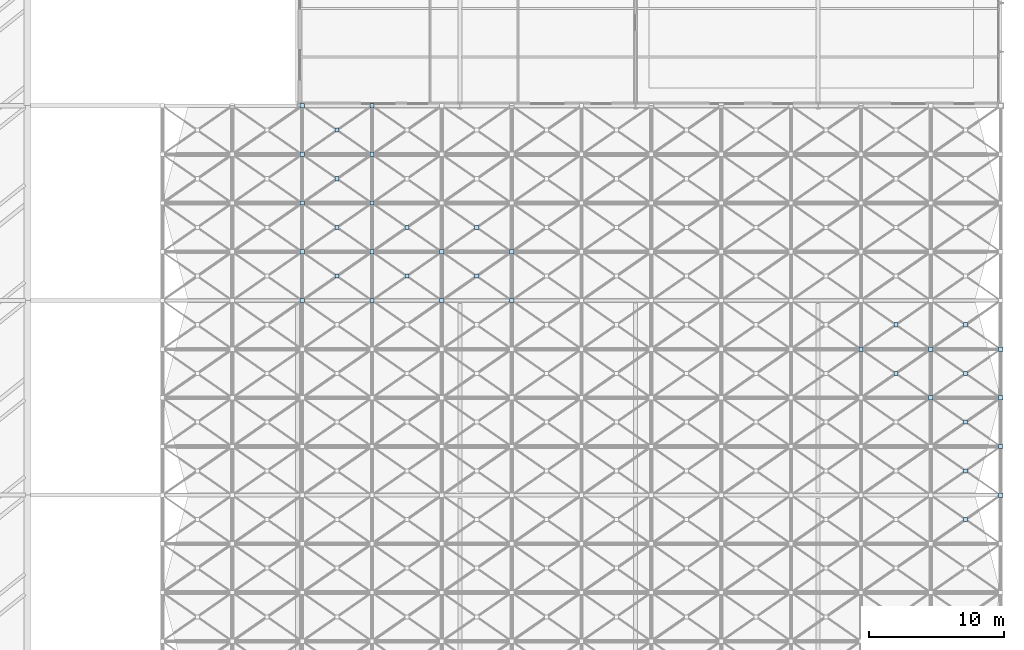
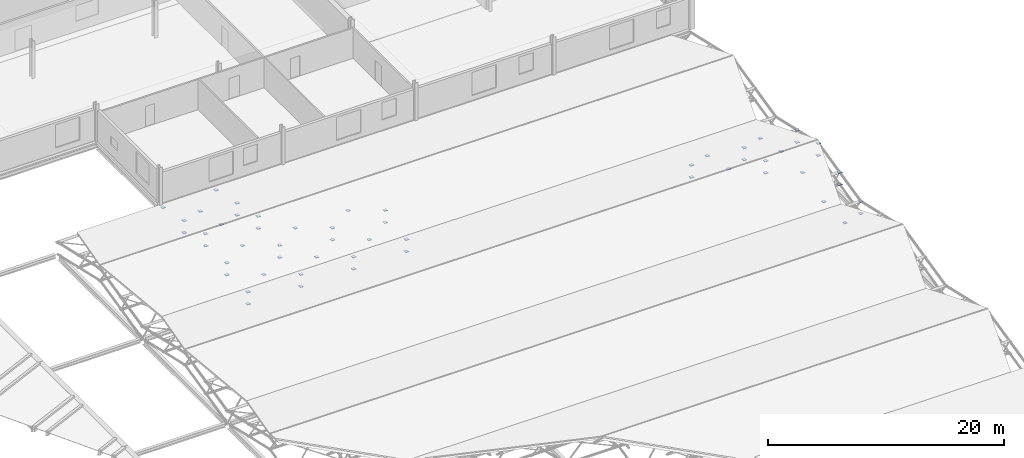
# One storey, part 97 of 110: 55 plates.
"""IFC4 building model written with IfcOpenShell, lengths in metres."""

from ifc_helpers import new_model, si_unit, direction, frame, origin, origin_2d, place, context, subcontext, project, spatial, rectangle, extrude, material, layer, layer_set, type_object, element, save


model = new_model("IFC4")

# Units and contexts
model_context = context("Model", 3, precision=1e-05, world=origin(), true_north=direction((0.0, 1.0)))
body_context = subcontext(model_context, "Body", "Model", "MODEL_VIEW")
ifc_project = project(units=[si_unit("LENGTHUNIT", "METRE"), si_unit("AREAUNIT", "SQUARE_METRE"), si_unit("VOLUMEUNIT", "CUBIC_METRE"), si_unit("PLANEANGLEUNIT", "RADIAN"), si_unit("MASSUNIT", "GRAM", prefix="KILO")], contexts=[model_context])

# Site, building, storey
site_placement = place(None, origin())
site = spatial("IfcSite", under=ifc_project, at=site_placement, CompositionType="ELEMENT")
building_placement = place(site_placement, origin())
building = spatial("IfcBuilding", under=site, at=building_placement, Name="Tamarisk Ironworks Central Station", CompositionType="ELEMENT")
storey_placement = place(building_placement, frame((0.0, 0.0, 17.39990234375)))
storey = spatial("IfcBuildingStorey", under=building, at=storey_placement, Name="L03", CompositionType="ELEMENT", Elevation=17.39990234375)

# Plates
ifc_material = material(Name="Structural steel S355J2H", Category="steel")
ifc_layer = layer(ifc_material, 0.02587890625)
ifc_layer_set = layer_set([ifc_layer], Name="Structural steel S355J2H")
plate_type = type_object("IfcPlateType", Name="PL-ND26", PredefinedType="SHEET", material=ifc_layer_set)
plate_1_placement = place(storey_placement, frame((177.416748046875, 48.60009765625, -0.6953125), z_axis=(0.0, 0.0, 1.0), x_axis=(1.0, 0.0, 0.0)))
element("IfcPlate", 1, at=plate_1_placement, inside=storey, type_object=plate_type, Name="Space-frame X-brace crossing gusset plate 0804", PredefinedType="SHEET", context=body_context, shape_type="SweptSolid", body=[
    extrude(rectangle(XDim=0.300048828125, YDim=0.300048828125, at=origin_2d()), origin(), (0.0, 0.0, 1.0), 0.02587890625),
])
for number, where, z_axis, x_axis, name in (
    (2, (180.0, 50.39990234375, -0.48291015625), (0.0, 0.0, 1.0), (1.0, 0.0, 0.0), "Space-frame collector node plate 0806"),
    (3, (128.333251953125, 64.800048828125, -0.48291015625), (0.0, 0.0, 1.0), (1.0, 0.0, 0.0), "Space-frame collector node plate 0838"),
    (4, (133.5, 64.800048828125, -0.48291015625), (0.0, 0.0, 1.0), (1.0, 0.0, 0.0), "Space-frame collector node plate 0850"),
    (5, (138.666748046875, 64.800048828125, -0.48291015625), (0.0, 0.0, 1.0), (1.0, 0.0, 0.0), "Space-frame collector node plate 0862"),
    (6, (143.833251953125, 64.800048828125, -0.48291015625), (0.0, 0.0, 1.0), (1.0, 0.0, 0.0), "Space-frame collector node plate 0874"),
    (7, (169.666748046875, 61.199951171875, 0.342041015625), (0.0, 0.0, 1.0), (1.0, 0.0, 0.0), "Space-frame collector node plate 0931"),
    (8, (169.666748046875, 61.199951171875, -0.907958984375), (0.0, 0.0, 1.0), (1.0, 0.0, 0.0), "Space-frame collector node plate 0933"),
    (9, (174.833251953125, 57.60009765625, 1.167236328125), (0.0, 0.0, 1.0), (1.0, 0.0, 0.0), "Space-frame collector node plate 0940"),
):
    element("IfcPlate", number, at=place(storey_placement, frame(where, z_axis=z_axis, x_axis=x_axis)), inside=storey, type_object=plate_type, Name=name, PredefinedType="SHEET", context=body_context, shape_type="SweptSolid", body=[
        extrude(rectangle(XDim=0.320068359375, YDim=0.320068359375, at=origin_2d()), origin(), (0.0, 0.0, 1.0), 0.02587890625),
    ])
plate_2_placement = place(storey_placement, frame((172.25, 59.39990234375, 0.129638671875), z_axis=(0.0, 0.0, 1.0), x_axis=(1.0, 0.0, 0.0)))
element("IfcPlate", 10, at=plate_2_placement, inside=storey, type_object=plate_type, Name="Space-frame X-brace crossing gusset plate 0941", PredefinedType="SHEET", context=body_context, shape_type="SweptSolid", body=[
    extrude(rectangle(XDim=0.300048828125, YDim=0.300048828125, at=origin_2d()), origin(), (0.0, 0.0, 1.0), 0.02587890625),
])
for number, where, z_axis, x_axis, name in (
    (11, (174.833251953125, 57.60009765625, -0.082763671875), (0.0, 0.0, 1.0), (1.0, 0.0, 0.0), "Space-frame collector node plate 0942"),
    (12, (174.833251953125, 61.199951171875, 0.342041015625), (0.0, 0.0, 1.0), (1.0, 0.0, 0.0), "Space-frame collector node plate 0943"),
):
    element("IfcPlate", number, at=place(storey_placement, frame(where, z_axis=z_axis, x_axis=x_axis)), inside=storey, type_object=plate_type, Name=name, PredefinedType="SHEET", context=body_context, shape_type="SweptSolid", body=[
        extrude(rectangle(XDim=0.320068359375, YDim=0.320068359375, at=origin_2d()), origin(), (0.0, 0.0, 1.0), 0.02587890625),
    ])
plate_3_placement = place(storey_placement, frame((172.25, 63.0, -0.6953125), z_axis=(0.0, 0.0, 1.0), x_axis=(1.0, 0.0, 0.0)))
element("IfcPlate", 13, at=plate_3_placement, inside=storey, type_object=plate_type, Name="Space-frame X-brace crossing gusset plate 0944", PredefinedType="SHEET", context=body_context, shape_type="SweptSolid", body=[
    extrude(rectangle(XDim=0.300048828125, YDim=0.300048828125, at=origin_2d()), origin(), (0.0, 0.0, 1.0), 0.02587890625),
])
plate_4_placement = place(storey_placement, frame((174.833251953125, 61.199951171875, -0.907958984375), z_axis=(0.0, 0.0, 1.0), x_axis=(1.0, 0.0, 0.0)))
element("IfcPlate", 14, at=plate_4_placement, inside=storey, type_object=plate_type, Name="Space-frame collector node plate 0945", PredefinedType="SHEET", context=body_context, shape_type="SweptSolid", body=[
    extrude(rectangle(XDim=0.320068359375, YDim=0.320068359375, at=origin_2d()), origin(), (0.0, 0.0, 1.0), 0.02587890625),
])
plate_5_placement = place(storey_placement, frame((177.416748046875, 52.199951171875, -0.6953125), z_axis=(0.0, 0.0, 1.0), x_axis=(1.0, 0.0, 0.0)))
element("IfcPlate", 15, at=plate_5_placement, inside=storey, type_object=plate_type, Name="Space-frame X-brace crossing gusset plate 0947", PredefinedType="SHEET", context=body_context, shape_type="SweptSolid", body=[
    extrude(rectangle(XDim=0.300048828125, YDim=0.300048828125, at=origin_2d()), origin(), (0.0, 0.0, 1.0), 0.02587890625),
])
for number, where, z_axis, x_axis, name in (
    (16, (180.0, 50.39990234375, -1.73291015625), (0.0, 0.0, 1.0), (1.0, 0.0, 0.0), "Space-frame collector node plate 0948"),
    (17, (180.0, 54.0, 0.342041015625), (0.0, 0.0, 1.0), (1.0, 0.0, 0.0), "Space-frame collector node plate 0949"),
):
    element("IfcPlate", number, at=place(storey_placement, frame(where, z_axis=z_axis, x_axis=x_axis)), inside=storey, type_object=plate_type, Name=name, PredefinedType="SHEET", context=body_context, shape_type="SweptSolid", body=[
        extrude(rectangle(XDim=0.320068359375, YDim=0.320068359375, at=origin_2d()), origin(), (0.0, 0.0, 1.0), 0.02587890625),
    ])
plate_6_placement = place(storey_placement, frame((177.416748046875, 55.800048828125, 0.129638671875), z_axis=(0.0, 0.0, 1.0), x_axis=(1.0, 0.0, 0.0)))
element("IfcPlate", 18, at=plate_6_placement, inside=storey, type_object=plate_type, Name="Space-frame X-brace crossing gusset plate 0950", PredefinedType="SHEET", context=body_context, shape_type="SweptSolid", body=[
    extrude(rectangle(XDim=0.300048828125, YDim=0.300048828125, at=origin_2d()), origin(), (0.0, 0.0, 1.0), 0.02587890625),
])
for number, where, z_axis, x_axis, name in (
    (19, (180.0, 54.0, -0.907958984375), (0.0, 0.0, 1.0), (1.0, 0.0, 0.0), "Space-frame collector node plate 0951"),
    (20, (180.0, 57.60009765625, 1.167236328125), (0.0, 0.0, 1.0), (1.0, 0.0, 0.0), "Space-frame collector node plate 0952"),
):
    element("IfcPlate", number, at=place(storey_placement, frame(where, z_axis=z_axis, x_axis=x_axis)), inside=storey, type_object=plate_type, Name=name, PredefinedType="SHEET", context=body_context, shape_type="SweptSolid", body=[
        extrude(rectangle(XDim=0.320068359375, YDim=0.320068359375, at=origin_2d()), origin(), (0.0, 0.0, 1.0), 0.02587890625),
    ])
plate_7_placement = place(storey_placement, frame((177.416748046875, 59.39990234375, 0.129638671875), z_axis=(0.0, 0.0, 1.0), x_axis=(1.0, 0.0, 0.0)))
element("IfcPlate", 21, at=plate_7_placement, inside=storey, type_object=plate_type, Name="Space-frame X-brace crossing gusset plate 0953", PredefinedType="SHEET", context=body_context, shape_type="SweptSolid", body=[
    extrude(rectangle(XDim=0.300048828125, YDim=0.300048828125, at=origin_2d()), origin(), (0.0, 0.0, 1.0), 0.02587890625),
])
for number, where, z_axis, x_axis, name in (
    (22, (180.0, 57.60009765625, -0.082763671875), (0.0, 0.0, 1.0), (1.0, 0.0, 0.0), "Space-frame collector node plate 0954"),
    (23, (180.0, 61.199951171875, 0.342041015625), (0.0, 0.0, 1.0), (1.0, 0.0, 0.0), "Space-frame collector node plate 0955"),
):
    element("IfcPlate", number, at=place(storey_placement, frame(where, z_axis=z_axis, x_axis=x_axis)), inside=storey, type_object=plate_type, Name=name, PredefinedType="SHEET", context=body_context, shape_type="SweptSolid", body=[
        extrude(rectangle(XDim=0.320068359375, YDim=0.320068359375, at=origin_2d()), origin(), (0.0, 0.0, 1.0), 0.02587890625),
    ])
plate_8_placement = place(storey_placement, frame((177.416748046875, 63.0, -0.6953125), z_axis=(0.0, 0.0, 1.0), x_axis=(1.0, 0.0, 0.0)))
element("IfcPlate", 24, at=plate_8_placement, inside=storey, type_object=plate_type, Name="Space-frame X-brace crossing gusset plate 0956", PredefinedType="SHEET", context=body_context, shape_type="SweptSolid", body=[
    extrude(rectangle(XDim=0.300048828125, YDim=0.300048828125, at=origin_2d()), origin(), (0.0, 0.0, 1.0), 0.02587890625),
])
for number, where, z_axis, x_axis, name in (
    (25, (180.0, 61.199951171875, -0.907958984375), (0.0, 0.0, 1.0), (1.0, 0.0, 0.0), "Space-frame collector node plate 0957"),
    (26, (128.333251953125, 64.800048828125, -1.73291015625), (0.0, 0.0, 1.0), (1.0, 0.0, 0.0), "Space-frame collector node plate 0980"),
    (27, (128.333251953125, 68.39990234375, 0.342041015625), (0.0, 0.0, 1.0), (1.0, 0.0, 0.0), "Space-frame collector node plate 0981"),
    (28, (128.333251953125, 68.39990234375, -0.907958984375), (0.0, 0.0, 1.0), (1.0, 0.0, 0.0), "Space-frame collector node plate 0983"),
    (29, (128.333251953125, 72.0, 1.167236328125), (0.0, 0.0, 1.0), (1.0, 0.0, 0.0), "Space-frame collector node plate 0984"),
    (30, (128.333251953125, 72.0, -0.082763671875), (0.0, 0.0, 1.0), (1.0, 0.0, 0.0), "Space-frame collector node plate 0986"),
    (31, (128.333251953125, 75.60009765625, 0.342041015625), (0.0, 0.0, 1.0), (1.0, 0.0, 0.0), "Space-frame collector node plate 0987"),
    (32, (128.333251953125, 75.60009765625, -0.907958984375), (0.0, 0.0, 1.0), (1.0, 0.0, 0.0), "Space-frame collector node plate 0989"),
    (33, (128.333251953125, 79.199951171875, -0.48291015625), (0.0, 0.0, 1.0), (1.0, 0.0, 0.0), "Space-frame collector node plate 0990"),
):
    element("IfcPlate", number, at=place(storey_placement, frame(where, z_axis=z_axis, x_axis=x_axis)), inside=storey, type_object=plate_type, Name=name, PredefinedType="SHEET", context=body_context, shape_type="SweptSolid", body=[
        extrude(rectangle(XDim=0.320068359375, YDim=0.320068359375, at=origin_2d()), origin(), (0.0, 0.0, 1.0), 0.02587890625),
    ])
plate_9_placement = place(storey_placement, frame((130.916748046875, 66.60009765625, -0.6953125), z_axis=(0.0, 0.0, 1.0), x_axis=(1.0, 0.0, 0.0)))
element("IfcPlate", 34, at=plate_9_placement, inside=storey, type_object=plate_type, Name="Space-frame X-brace crossing gusset plate 0991", PredefinedType="SHEET", context=body_context, shape_type="SweptSolid", body=[
    extrude(rectangle(XDim=0.300048828125, YDim=0.300048828125, at=origin_2d()), origin(), (0.0, 0.0, 1.0), 0.02587890625),
])
for number, where, z_axis, x_axis, name in (
    (35, (133.5, 64.800048828125, -1.73291015625), (0.0, 0.0, 1.0), (1.0, 0.0, 0.0), "Space-frame collector node plate 0992"),
    (36, (133.5, 68.39990234375, 0.342041015625), (0.0, 0.0, 1.0), (1.0, 0.0, 0.0), "Space-frame collector node plate 0993"),
):
    element("IfcPlate", number, at=place(storey_placement, frame(where, z_axis=z_axis, x_axis=x_axis)), inside=storey, type_object=plate_type, Name=name, PredefinedType="SHEET", context=body_context, shape_type="SweptSolid", body=[
        extrude(rectangle(XDim=0.320068359375, YDim=0.320068359375, at=origin_2d()), origin(), (0.0, 0.0, 1.0), 0.02587890625),
    ])
plate_10_placement = place(storey_placement, frame((130.916748046875, 70.199951171875, 0.129638671875), z_axis=(0.0, 0.0, 1.0), x_axis=(1.0, 0.0, 0.0)))
element("IfcPlate", 37, at=plate_10_placement, inside=storey, type_object=plate_type, Name="Space-frame X-brace crossing gusset plate 0994", PredefinedType="SHEET", context=body_context, shape_type="SweptSolid", body=[
    extrude(rectangle(XDim=0.300048828125, YDim=0.300048828125, at=origin_2d()), origin(), (0.0, 0.0, 1.0), 0.02587890625),
])
for number, where, z_axis, x_axis, name in (
    (38, (133.5, 68.39990234375, -0.907958984375), (0.0, 0.0, 1.0), (1.0, 0.0, 0.0), "Space-frame collector node plate 0995"),
    (39, (133.5, 72.0, 1.167236328125), (0.0, 0.0, 1.0), (1.0, 0.0, 0.0), "Space-frame collector node plate 0996"),
):
    element("IfcPlate", number, at=place(storey_placement, frame(where, z_axis=z_axis, x_axis=x_axis)), inside=storey, type_object=plate_type, Name=name, PredefinedType="SHEET", context=body_context, shape_type="SweptSolid", body=[
        extrude(rectangle(XDim=0.320068359375, YDim=0.320068359375, at=origin_2d()), origin(), (0.0, 0.0, 1.0), 0.02587890625),
    ])
plate_11_placement = place(storey_placement, frame((130.916748046875, 73.800048828125, 0.129638671875), z_axis=(0.0, 0.0, 1.0), x_axis=(1.0, 0.0, 0.0)))
element("IfcPlate", 40, at=plate_11_placement, inside=storey, type_object=plate_type, Name="Space-frame X-brace crossing gusset plate 0997", PredefinedType="SHEET", context=body_context, shape_type="SweptSolid", body=[
    extrude(rectangle(XDim=0.300048828125, YDim=0.300048828125, at=origin_2d()), origin(), (0.0, 0.0, 1.0), 0.02587890625),
])
for number, where, z_axis, x_axis, name in (
    (41, (133.5, 72.0, -0.082763671875), (0.0, 0.0, 1.0), (1.0, 0.0, 0.0), "Space-frame collector node plate 0998"),
    (42, (133.5, 75.60009765625, 0.342041015625), (0.0, 0.0, 1.0), (1.0, 0.0, 0.0), "Space-frame collector node plate 0999"),
):
    element("IfcPlate", number, at=place(storey_placement, frame(where, z_axis=z_axis, x_axis=x_axis)), inside=storey, type_object=plate_type, Name=name, PredefinedType="SHEET", context=body_context, shape_type="SweptSolid", body=[
        extrude(rectangle(XDim=0.320068359375, YDim=0.320068359375, at=origin_2d()), origin(), (0.0, 0.0, 1.0), 0.02587890625),
    ])
plate_12_placement = place(storey_placement, frame((130.916748046875, 77.39990234375, -0.6953125), z_axis=(0.0, 0.0, 1.0), x_axis=(1.0, 0.0, 0.0)))
element("IfcPlate", 43, at=plate_12_placement, inside=storey, type_object=plate_type, Name="Space-frame X-brace crossing gusset plate 1000", PredefinedType="SHEET", context=body_context, shape_type="SweptSolid", body=[
    extrude(rectangle(XDim=0.300048828125, YDim=0.300048828125, at=origin_2d()), origin(), (0.0, 0.0, 1.0), 0.02587890625),
])
for number, where, z_axis, x_axis, name in (
    (44, (133.5, 75.60009765625, -0.907958984375), (0.0, 0.0, 1.0), (1.0, 0.0, 0.0), "Space-frame collector node plate 1001"),
    (45, (133.5, 79.199951171875, -0.48291015625), (0.0, 0.0, 1.0), (1.0, 0.0, 0.0), "Space-frame collector node plate 1002"),
):
    element("IfcPlate", number, at=place(storey_placement, frame(where, z_axis=z_axis, x_axis=x_axis)), inside=storey, type_object=plate_type, Name=name, PredefinedType="SHEET", context=body_context, shape_type="SweptSolid", body=[
        extrude(rectangle(XDim=0.320068359375, YDim=0.320068359375, at=origin_2d()), origin(), (0.0, 0.0, 1.0), 0.02587890625),
    ])
plate_13_placement = place(storey_placement, frame((136.083251953125, 66.60009765625, -0.6953125), z_axis=(0.0, 0.0, 1.0), x_axis=(1.0, 0.0, 0.0)))
element("IfcPlate", 46, at=plate_13_placement, inside=storey, type_object=plate_type, Name="Space-frame X-brace crossing gusset plate 1003", PredefinedType="SHEET", context=body_context, shape_type="SweptSolid", body=[
    extrude(rectangle(XDim=0.300048828125, YDim=0.300048828125, at=origin_2d()), origin(), (0.0, 0.0, 1.0), 0.02587890625),
])
for number, where, z_axis, x_axis, name in (
    (47, (138.666748046875, 64.800048828125, -1.73291015625), (0.0, 0.0, 1.0), (1.0, 0.0, 0.0), "Space-frame collector node plate 1004"),
    (48, (138.666748046875, 68.39990234375, 0.342041015625), (0.0, 0.0, 1.0), (1.0, 0.0, 0.0), "Space-frame collector node plate 1005"),
):
    element("IfcPlate", number, at=place(storey_placement, frame(where, z_axis=z_axis, x_axis=x_axis)), inside=storey, type_object=plate_type, Name=name, PredefinedType="SHEET", context=body_context, shape_type="SweptSolid", body=[
        extrude(rectangle(XDim=0.320068359375, YDim=0.320068359375, at=origin_2d()), origin(), (0.0, 0.0, 1.0), 0.02587890625),
    ])
plate_14_placement = place(storey_placement, frame((136.083251953125, 70.199951171875, 0.129638671875), z_axis=(0.0, 0.0, 1.0), x_axis=(1.0, 0.0, 0.0)))
element("IfcPlate", 49, at=plate_14_placement, inside=storey, type_object=plate_type, Name="Space-frame X-brace crossing gusset plate 1006", PredefinedType="SHEET", context=body_context, shape_type="SweptSolid", body=[
    extrude(rectangle(XDim=0.300048828125, YDim=0.300048828125, at=origin_2d()), origin(), (0.0, 0.0, 1.0), 0.02587890625),
])
plate_15_placement = place(storey_placement, frame((138.666748046875, 68.39990234375, -0.907958984375), z_axis=(0.0, 0.0, 1.0), x_axis=(1.0, 0.0, 0.0)))
element("IfcPlate", 50, at=plate_15_placement, inside=storey, type_object=plate_type, Name="Space-frame collector node plate 1007", PredefinedType="SHEET", context=body_context, shape_type="SweptSolid", body=[
    extrude(rectangle(XDim=0.320068359375, YDim=0.320068359375, at=origin_2d()), origin(), (0.0, 0.0, 1.0), 0.02587890625),
])
plate_16_placement = place(storey_placement, frame((141.25, 66.60009765625, -0.6953125), z_axis=(0.0, 0.0, 1.0), x_axis=(1.0, 0.0, 0.0)))
element("IfcPlate", 51, at=plate_16_placement, inside=storey, type_object=plate_type, Name="Space-frame X-brace crossing gusset plate 1015", PredefinedType="SHEET", context=body_context, shape_type="SweptSolid", body=[
    extrude(rectangle(XDim=0.300048828125, YDim=0.300048828125, at=origin_2d()), origin(), (0.0, 0.0, 1.0), 0.02587890625),
])
for number, where, z_axis, x_axis, name in (
    (52, (143.833251953125, 64.800048828125, -1.73291015625), (0.0, 0.0, 1.0), (1.0, 0.0, 0.0), "Space-frame collector node plate 1016"),
    (53, (143.833251953125, 68.39990234375, 0.342041015625), (0.0, 0.0, 1.0), (1.0, 0.0, 0.0), "Space-frame collector node plate 1017"),
):
    element("IfcPlate", number, at=place(storey_placement, frame(where, z_axis=z_axis, x_axis=x_axis)), inside=storey, type_object=plate_type, Name=name, PredefinedType="SHEET", context=body_context, shape_type="SweptSolid", body=[
        extrude(rectangle(XDim=0.320068359375, YDim=0.320068359375, at=origin_2d()), origin(), (0.0, 0.0, 1.0), 0.02587890625),
    ])
plate_17_placement = place(storey_placement, frame((141.25, 70.199951171875, 0.129638671875), z_axis=(0.0, 0.0, 1.0), x_axis=(1.0, 0.0, 0.0)))
element("IfcPlate", 54, at=plate_17_placement, inside=storey, type_object=plate_type, Name="Space-frame X-brace crossing gusset plate 1018", PredefinedType="SHEET", context=body_context, shape_type="SweptSolid", body=[
    extrude(rectangle(XDim=0.300048828125, YDim=0.300048828125, at=origin_2d()), origin(), (0.0, 0.0, 1.0), 0.02587890625),
])
plate_18_placement = place(storey_placement, frame((143.833251953125, 68.39990234375, -0.907958984375), z_axis=(0.0, 0.0, 1.0), x_axis=(1.0, 0.0, 0.0)))
element("IfcPlate", 55, at=plate_18_placement, inside=storey, type_object=plate_type, Name="Space-frame collector node plate 1019", PredefinedType="SHEET", context=body_context, shape_type="SweptSolid", body=[
    extrude(rectangle(XDim=0.320068359375, YDim=0.320068359375, at=origin_2d()), origin(), (0.0, 0.0, 1.0), 0.02587890625),
])

save(model, "model.ifc")
